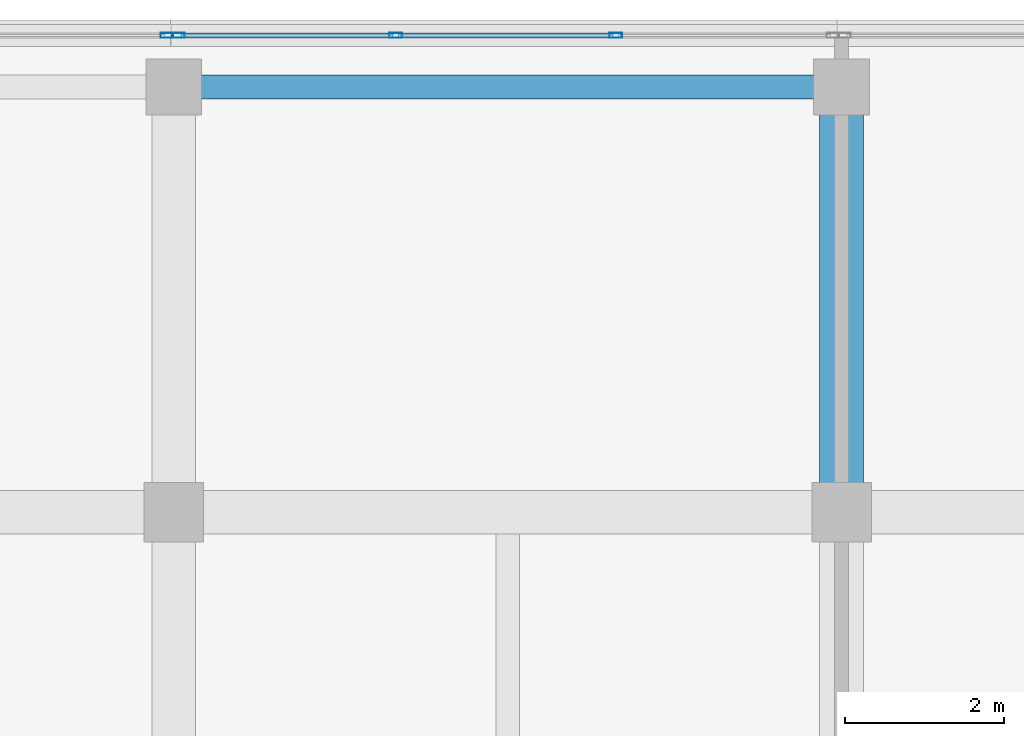
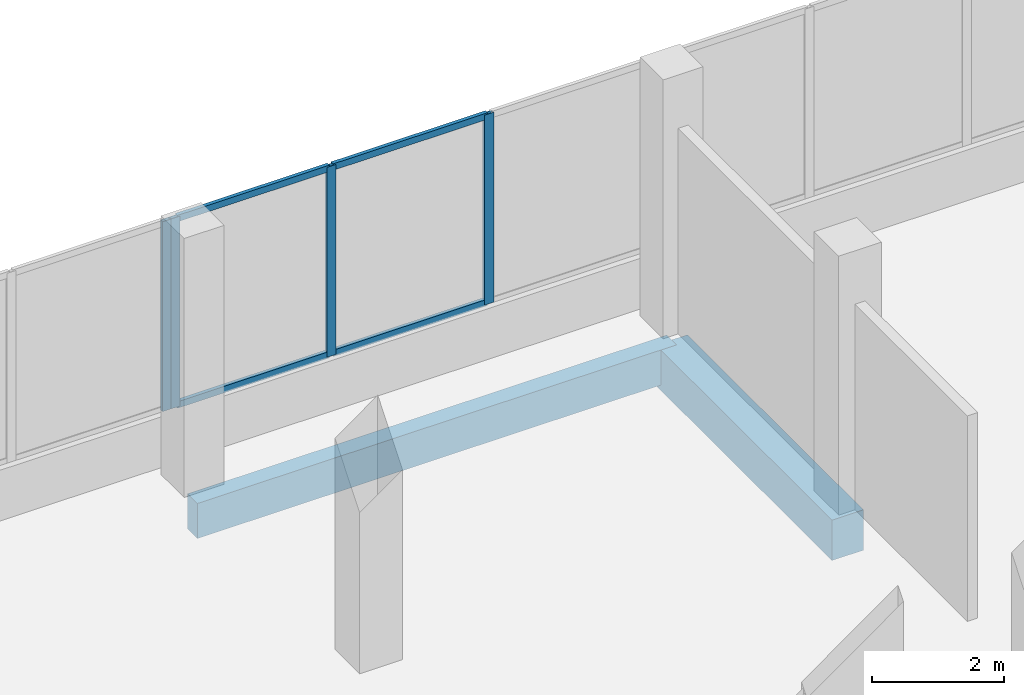
# One storey, part 68 of 155: 8 members, 2 beams, 2 elements without a shape of their own.
"""IFC4 building model written with IfcOpenShell, lengths in metres."""

from ifc_helpers import new_model, si_unit, direction, frame, origin, origin_2d, place, context, subcontext, project, spatial, rectangle, hollow_rectangle, extrude, material, material_profile, profile_set, type_object, element, aggregate, save


model = new_model("IFC4")

# Units and contexts
model_context = context("Model", 3, precision=1e-05, world=origin(), true_north=direction((0.0, 1.0)))
body_context = subcontext(model_context, "Body", "Model", "MODEL_VIEW")
ifc_project = project(units=[si_unit("LENGTHUNIT", "METRE"), si_unit("AREAUNIT", "SQUARE_METRE"), si_unit("VOLUMEUNIT", "CUBIC_METRE"), si_unit("PLANEANGLEUNIT", "RADIAN"), si_unit("MASSUNIT", "GRAM", prefix="KILO")], contexts=[model_context])

# Site, building, storey
site_placement = place(None, origin())
site = spatial("IfcSite", under=ifc_project, at=site_placement, CompositionType="ELEMENT")
building_placement = place(site_placement, origin())
building = spatial("IfcBuilding", under=site, at=building_placement, Name="Selatvlak General Hospital", CompositionType="ELEMENT")
storey_placement = place(building_placement, frame((0.0, 0.0, 10.199951171875)))
storey = spatial("IfcBuildingStorey", under=building, at=storey_placement, Name="L02", CompositionType="ELEMENT", Elevation=10.199951171875)

# Beams
ifc_material_1 = material(Name="Concrete C40/50", Category="concrete")
ifc_material_profile_1 = material_profile(ifc_material_1, rectangle(XDim=0.550048828125, YDim=0.75, at=origin_2d()), Name="RC-BM 550x750")
ifc_profile_set_1 = profile_set([ifc_material_profile_1], Name="Concrete C40/50")
beam_type_1 = type_object("IfcBeamType", Name="BM-G02", PredefinedType="BEAM", material=ifc_profile_set_1)
beam_1_placement = place(storey_placement, frame((39.60009765625, 114.0, -0.72998046875), z_axis=(0.0, 1.0, 0.0), x_axis=(-1.0, 0.0, 0.0)))
element("IfcBeam", 1, at=beam_1_placement, inside=storey, type_object=beam_type_1, Name="Beam BMR-L02-0950", PredefinedType="BEAM", context=body_context, shape_type="SweptSolid", body=[
    extrude(rectangle(XDim=0.550048828125, YDim=0.75, at=origin_2d()), origin(), (0.0, 0.0, 1.0), 5.35009765625),
])
ifc_material_profile_2 = material_profile(ifc_material_1, rectangle(XDim=0.300048828125, YDim=0.64990234375, at=origin_2d()), Name="RC-SP 300x650")
ifc_profile_set_2 = profile_set([ifc_material_profile_2], Name="Concrete C40/50")
beam_type_2 = type_object("IfcBeamType", Name="BM-SP1", PredefinedType="SPANDREL", material=ifc_profile_set_2)
beam_2_placement = place(storey_placement, frame((31.199951171875, 119.35009765625, -0.679931640625), z_axis=(1.0, 0.0, 0.0), x_axis=(0.0, 1.0, 0.0)))
element("IfcBeam", 2, at=beam_2_placement, inside=storey, type_object=beam_type_2, Name="Beam BMR-L02-0911", PredefinedType="SPANDREL", context=body_context, shape_type="SweptSolid", body=[
    extrude(rectangle(XDim=0.300048828125, YDim=0.64990234375, at=origin_2d()), origin(), (0.0, 0.0, 1.0), 8.400146484375),
])

# Curtain wall, member
ifc_material_2 = material(Name="Solar-control Low-E double glazing", Category="glass")
curtain_wall_type_1 = type_object("IfcCurtainWallType", Name="CW-CW-01", PredefinedType="USERDEFINED", material=ifc_material_2)
curtain_wall_1_placement = place(storey_placement, origin())
curtain_wall_1 = element("IfcCurtainWall", 3, at=curtain_wall_1_placement, inside=storey, type_object=curtain_wall_type_1, Name="Glazed facade curtain wall CW-L02-0244", ObjectType="UNITISED CURTAIN WALL", PredefinedType="USERDEFINED")
ifc_material_3 = material(Name="Dark anodised aluminium mullion", Category="aluminium")
ifc_material_profile_3 = material_profile(ifc_material_3, hollow_rectangle(XDim=0.06494140625, YDim=0.159912109375, WallThickness=0.00390625, at=origin_2d()), Name="AL-MUL 65x160x4")
ifc_profile_set_3 = profile_set([ifc_material_profile_3], Name="Dark anodised aluminium mullion")
member_type_1 = type_object("IfcMemberType", Name="CWM-01", PredefinedType="MULLION", material=ifc_profile_set_3)
member_1_placement = place(storey_placement, frame((31.112548828125, 119.9990234375, 0.93994140625), z_axis=(0.0, 0.0, 1.0), x_axis=(0.0, 1.0, 0.0)))
member_1 = element("IfcMember", 4, at=member_1_placement, type_object=member_type_1, Name="CW-01 mullion 4", PredefinedType="MULLION", context=body_context, shape_type="SweptSolid", body=[
    extrude(hollow_rectangle(XDim=0.06494140625, YDim=0.159912109375, WallThickness=0.00390625, at=origin_2d()), origin(), (0.0, 0.0, 1.0), 3.52001953125),
])
aggregate(curtain_wall_1, [member_1])

# Curtain wall, members
curtain_wall_type_2 = type_object("IfcCurtainWallType", Name="CW-CW-02", PredefinedType="USERDEFINED", material=ifc_material_2)
curtain_wall_2_placement = place(storey_placement, origin())
curtain_wall_2 = element("IfcCurtainWall", 5, at=curtain_wall_2_placement, inside=storey, type_object=curtain_wall_type_2, Name="Glazed facade curtain wall CW-L02-0245", ObjectType="UNITISED CURTAIN WALL", PredefinedType="USERDEFINED")
member_2_placement = place(storey_placement, frame((31.257568359375, 119.9990234375, 0.93994140625), z_axis=(0.0, 0.0, 1.0), x_axis=(0.0, 1.0, 0.0)))
member_2 = element("IfcMember", 6, at=member_2_placement, type_object=member_type_1, Name="CW-02 mullion 1", PredefinedType="MULLION", context=body_context, shape_type="SweptSolid", body=[
    extrude(hollow_rectangle(XDim=0.06494140625, YDim=0.159912109375, WallThickness=0.00390625, at=origin_2d()), origin(), (0.0, 0.0, 1.0), 3.52001953125),
])
member_3_placement = place(storey_placement, frame((33.99169921875, 119.9990234375, 0.93994140625), z_axis=(0.0, 0.0, 1.0), x_axis=(0.0, 1.0, 0.0)))
member_3 = element("IfcMember", 7, at=member_3_placement, type_object=member_type_1, Name="CW-02 mullion 2", PredefinedType="MULLION", context=body_context, shape_type="SweptSolid", body=[
    extrude(hollow_rectangle(XDim=0.06494140625, YDim=0.159912109375, WallThickness=0.00390625, at=origin_2d()), origin(), (0.0, 0.0, 1.0), 3.52001953125),
])
member_4_placement = place(storey_placement, frame((36.75830078125, 119.9990234375, 0.93994140625), z_axis=(0.0, 0.0, 1.0), x_axis=(0.0, 1.0, 0.0)))
member_4 = element("IfcMember", 8, at=member_4_placement, type_object=member_type_1, Name="CW-02 mullion 3", PredefinedType="MULLION", context=body_context, shape_type="SweptSolid", body=[
    extrude(hollow_rectangle(XDim=0.06494140625, YDim=0.159912109375, WallThickness=0.00390625, at=origin_2d()), origin(), (0.0, 0.0, 1.0), 3.52001953125),
])
ifc_material_profile_4 = material_profile(ifc_material_3, hollow_rectangle(XDim=0.06494140625, YDim=0.1201171875, WallThickness=0.00390625, at=origin_2d()), Name="AL-TRN 65x120x4")
ifc_profile_set_4 = profile_set([ifc_material_profile_4], Name="Dark anodised aluminium mullion")
member_type_2 = type_object("IfcMemberType", Name="CWT-01", PredefinedType="USERDEFINED", material=ifc_profile_set_4)
member_5_placement = place(storey_placement, frame((31.2900390625, 119.9990234375, 0.97265625), z_axis=(1.0, 0.0, 0.0), x_axis=(0.0, 1.0, 0.0)))
member_5 = element("IfcMember", 9, at=member_5_placement, type_object=member_type_2, Name="CW-02 transom 1.1", ObjectType="TRANSOM", PredefinedType="USERDEFINED", context=body_context, shape_type="SweptSolid", body=[
    extrude(hollow_rectangle(XDim=0.06494140625, YDim=0.1201171875, WallThickness=0.00390625, at=origin_2d()), origin(), (0.0, 0.0, 1.0), 2.669189453125),
])
member_6_placement = place(storey_placement, frame((31.2900390625, 119.9990234375, 4.427490234375), z_axis=(1.0, 0.0, 0.0), x_axis=(0.0, 1.0, 0.0)))
member_6 = element("IfcMember", 10, at=member_6_placement, type_object=member_type_2, Name="CW-02 transom 1.2", ObjectType="TRANSOM", PredefinedType="USERDEFINED", context=body_context, shape_type="SweptSolid", body=[
    extrude(hollow_rectangle(XDim=0.06494140625, YDim=0.1201171875, WallThickness=0.00390625, at=origin_2d()), origin(), (0.0, 0.0, 1.0), 2.669189453125),
])
member_7_placement = place(storey_placement, frame((34.024169921875, 119.9990234375, 0.97265625), z_axis=(1.0, 0.0, 0.0), x_axis=(0.0, 1.0, 0.0)))
member_7 = element("IfcMember", 11, at=member_7_placement, type_object=member_type_2, Name="CW-02 transom 2.1", ObjectType="TRANSOM", PredefinedType="USERDEFINED", context=body_context, shape_type="SweptSolid", body=[
    extrude(hollow_rectangle(XDim=0.06494140625, YDim=0.1201171875, WallThickness=0.00390625, at=origin_2d()), origin(), (0.0, 0.0, 1.0), 2.70166015625),
])
member_8_placement = place(storey_placement, frame((34.024169921875, 119.9990234375, 4.427490234375), z_axis=(1.0, 0.0, 0.0), x_axis=(0.0, 1.0, 0.0)))
member_8 = element("IfcMember", 12, at=member_8_placement, type_object=member_type_2, Name="CW-02 transom 2.2", ObjectType="TRANSOM", PredefinedType="USERDEFINED", context=body_context, shape_type="SweptSolid", body=[
    extrude(hollow_rectangle(XDim=0.06494140625, YDim=0.1201171875, WallThickness=0.00390625, at=origin_2d()), origin(), (0.0, 0.0, 1.0), 2.70166015625),
])
aggregate(curtain_wall_2, [member_2, member_3, member_4, member_5, member_6, member_7, member_8])

save(model, "model.ifc")
